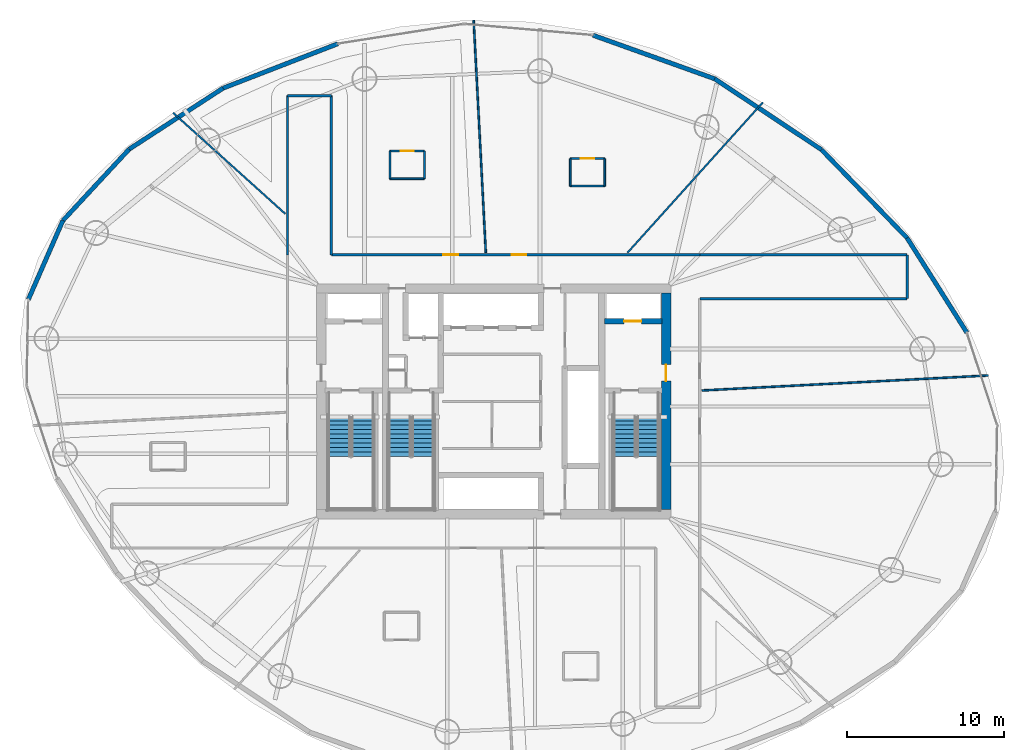
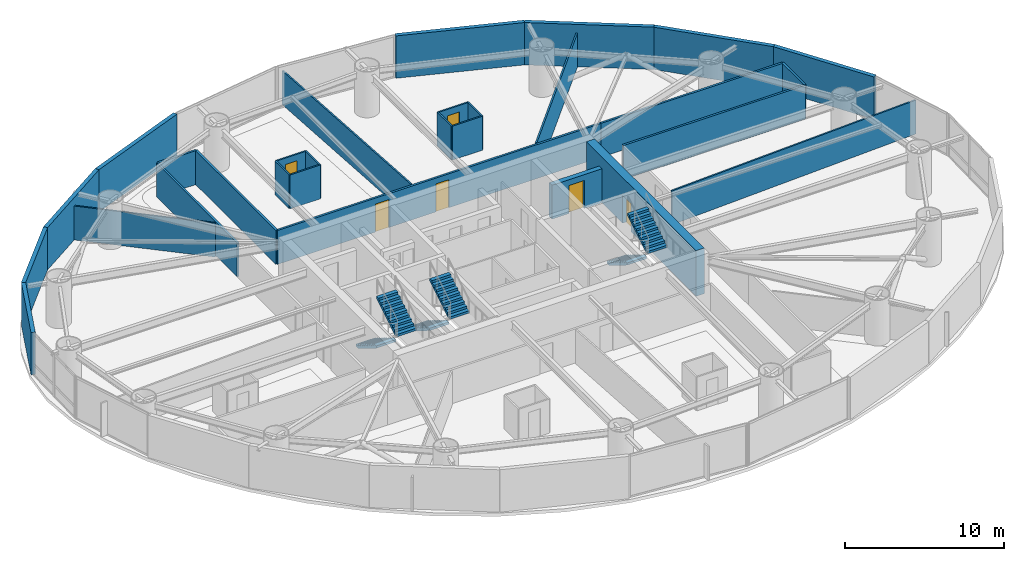
# One storey, part 20 of 24: 29 walls, 6 doors, 6 stair flights, 6 openings, 3 elements without a shape of their own.
"""IFC4 building model written with IfcOpenShell, lengths in metres."""

import ifcopenshell
import ifcopenshell.guid

model = None  # the IFC model being written
_history = None  # IfcOwnerHistory: only IFC2X3 demands one
_inside = {}  # id of a spatial element -> (the spatial element, [elements in it])
_under = {}  # id of a project, library or spatial element -> (it, [spatial elements below it])
_declared = {}  # id of a project -> (the project, [libraries it declares])
_typed = {}  # id of a type object -> (the type object, [elements of that type])
_made_of = {}  # id of a material, layer set ... -> (it, [elements and type objects made of it])


def new_model(schema):
    """Start an empty IFC model of exactly this schema.

    Asked for "IFC4X3", IfcOpenShell would pick the latest addendum, in which some entities
    have other attributes; the version numbers below select the first issue.
    IFC2X3 requires an IfcOwnerHistory on every rooted entity: one is made here for all.
    """
    global model, _history
    if schema == "IFC4X3":
        model = ifcopenshell.file(schema_version=(4, 3, 0, 0))
    else:
        model = ifcopenshell.file(schema=schema)
    _inside.clear()
    _under.clear()
    _declared.clear()
    _typed.clear()
    _made_of.clear()
    _history = None
    if model.schema == "IFC2X3":
        org = make("IfcOrganization", Name="unknown")
        user = make(
            "IfcPersonAndOrganization",
            ThePerson=make("IfcPerson", FamilyName="unknown"),
            TheOrganization=org,
        )
        app = make(
            "IfcApplication",
            ApplicationDeveloper=org,
            Version="unknown",
            ApplicationFullName="unknown",
            ApplicationIdentifier="unknown",
        )
        _history = make(
            "IfcOwnerHistory",
            OwningUser=user,
            OwningApplication=app,
            ChangeAction="ADDED",
            CreationDate=0,
        )
    return model


def make(cls, **values):
    """One entity of the class cls with the attributes given. An attribute that is None is left unset."""
    return model.create_entity(
        cls, **{name: value for name, value in values.items() if value is not None}
    )


def rooted(cls, **values):
    """An entity with a GlobalId (a new one), such as an element, a storey or a relation."""
    return make(cls, GlobalId=ifcopenshell.guid.new(), OwnerHistory=_history, **values)


def si_unit(unit_type, name, prefix=None):
    """IfcSIUnit, for example si_unit("LENGTHUNIT", "METRE", prefix="MILLI")."""
    return make("IfcSIUnit", UnitType=unit_type, Prefix=prefix, Name=name)


def assignment(units):
    """IfcUnitAssignment: the units of a project."""
    return None if units is None else make("IfcUnitAssignment", Units=units)


def point(xyz):
    """IfcCartesianPoint."""
    return None if xyz is None else make("IfcCartesianPoint", Coordinates=xyz)


def direction(xyz):
    """IfcDirection."""
    return None if xyz is None else make("IfcDirection", DirectionRatios=xyz)


def frame(location, z_axis=None, x_axis=None):
    """IfcAxis2Placement3D, a coordinate frame: its origin and axes. An axis left out is left unset."""
    return make(
        "IfcAxis2Placement3D",
        Location=point(location),
        Axis=direction(z_axis),
        RefDirection=direction(x_axis),
    )


def frame_2d(location, x_axis=None):
    """IfcAxis2Placement2D, a coordinate frame in the plane: its origin and x axis."""
    return make(
        "IfcAxis2Placement2D", Location=point(location), RefDirection=direction(x_axis)
    )


def origin():
    """The frame at (0, 0, 0) with its axes left unset."""
    return frame((0.0, 0.0, 0.0))


def place(relative_to, where):
    """IfcLocalPlacement: puts the frame where relative to a parent placement (None: the world)."""
    return make(
        "IfcLocalPlacement", PlacementRelTo=relative_to, RelativePlacement=where
    )


def context(
    kind, dimensions, precision=None, world=None, true_north=None, identifier=None
):
    """IfcGeometricRepresentationContext, for example the 3D "Model" context."""
    return make(
        "IfcGeometricRepresentationContext",
        ContextIdentifier=identifier,
        ContextType=kind,
        CoordinateSpaceDimension=dimensions,
        Precision=precision,
        WorldCoordinateSystem=world,
        TrueNorth=true_north,
    )


def subcontext(parent, identifier, kind, view, scale=None):
    """IfcGeometricRepresentationSubContext, for example "Body" below "Model"."""
    return make(
        "IfcGeometricRepresentationSubContext",
        ContextIdentifier=identifier,
        ContextType=kind,
        ParentContext=parent,
        TargetScale=scale,
        TargetView=view,
    )


def project(units=None, contexts=None):
    """IfcProject with its units and contexts."""
    return rooted(
        "IfcProject",
        Name="project",
        RepresentationContexts=contexts,
        UnitsInContext=assignment(units),
    )


def spatial(cls, under=None, at=None, **own):
    """A site, building, storey or space (cls), placed at a placement, below another one or the project."""
    s = rooted(cls, ObjectPlacement=at, **own)
    if under is not None:
        _under.setdefault(under.id(), (under, []))[1].append(s)
    return s


def polyline(points):
    """IfcPolyline through the points."""
    return make("IfcPolyline", Points=[point(p) for p in points])


def profile(cls, at=None, kind="AREA", **sizes):
    """A parametric profile (cls). Its sizes go by their IFC names, for example OverallWidth=200.0."""
    return make(cls, ProfileType=kind, Position=at, **sizes)


def rectangle(**sizes):
    """IfcRectangleProfileDef."""
    return profile("IfcRectangleProfileDef", **sizes)


def outline(outer, holes=None, kind="AREA"):
    """IfcArbitraryClosedProfileDef: a profile drawn as a closed curve; with holes, ...WithVoids."""
    if holes is None:
        return make("IfcArbitraryClosedProfileDef", ProfileType=kind, OuterCurve=outer)
    return make(
        "IfcArbitraryProfileDefWithVoids",
        ProfileType=kind,
        OuterCurve=outer,
        InnerCurves=holes,
    )


def extrude(swept, where, along, depth):
    """IfcExtrudedAreaSolid: the profile swept, set in the frame where, extruded along a direction by depth."""
    return make(
        "IfcExtrudedAreaSolid",
        SweptArea=swept,
        Position=where,
        ExtrudedDirection=direction(along),
        Depth=depth,
    )


def shape(context_of_items, identifier, shape_type, items):
    """IfcShapeRepresentation: the items that make up one representation, for example the "Body"."""
    return make(
        "IfcShapeRepresentation",
        ContextOfItems=context_of_items,
        RepresentationIdentifier=identifier,
        RepresentationType=shape_type,
        Items=items,
    )


def material(Name=None, Category=None):
    """IfcMaterial."""
    return make("IfcMaterial", Name=Name, Category=Category)


def layer(
    of_material, thickness, ventilated=None, Name=None, Category=None, Priority=None
):
    """IfcMaterialLayer: one layer of a wall or slab, of a material (None: an air gap)."""
    return make(
        "IfcMaterialLayer",
        Material=of_material,
        LayerThickness=thickness,
        IsVentilated=ventilated,
        Name=Name,
        Category=Category,
        Priority=Priority,
    )


def layer_set(layers, Name=None):
    """IfcMaterialLayerSet."""
    return make("IfcMaterialLayerSet", MaterialLayers=layers, LayerSetName=Name)


def made_of(thing, what):
    """Note that an element or type object is made of a material, layer set ...; save() writes the relation."""
    if what is not None:
        _made_of.setdefault(what.id(), (what, []))[1].append(thing)
    return thing


def type_object(cls, material=None, **own):
    """A type object (cls), such as IfcWallType, which elements share."""
    return made_of(rooted(cls, **own), material)


def element(
    cls,
    number,
    at=None,
    inside=None,
    cuts=None,
    type_object=None,
    material=None,
    context=None,
    identifier="Body",
    shape_type=None,
    held_by="IfcProductDefinitionShape",
    body=None,
    shapes=None,
    **own,
):
    """One element of the class cls, such as IfcWall. Its Tag is "e" and its number.

    at: its placement. inside: the storey or other place that contains it. cuts: it is an
    opening in that element (IfcRelVoidsElement). A single representation is given by context,
    identifier, shape_type and body (its items); several are given by shapes. held_by: the class
    of the entity that holds the representations. save() writes the other relations.
    """
    e = rooted(cls, Tag="e%d" % number, ObjectPlacement=at, **own)
    if body is not None:
        shapes = [shape(context, identifier, shape_type, body)]
    if shapes is not None:
        e.Representation = make(held_by, Representations=shapes)
    if inside is not None:
        _inside.setdefault(inside.id(), (inside, []))[1].append(e)
    if cuts is not None:
        rooted(
            "IfcRelVoidsElement", RelatingBuildingElement=cuts, RelatedOpeningElement=e
        )
    if type_object is not None:
        _typed.setdefault(type_object.id(), (type_object, []))[1].append(e)
    return made_of(e, material)


def fill(opening, filler):
    """IfcRelFillsElement: the door or window that sits in an opening."""
    return rooted(
        "IfcRelFillsElement",
        RelatingOpeningElement=opening,
        RelatedBuildingElement=filler,
    )


def aggregate(whole, parts):
    """IfcRelAggregates: a whole, such as a stair, and the parts it consists of."""
    return rooted("IfcRelAggregates", RelatingObject=whole, RelatedObjects=parts)


def save(model, path):
    """Write the relations noted so far, then the file.

    IfcRelAggregates (storeys below a building ...), IfcRelContainedInSpatialStructure (elements
    in a storey), IfcRelDefinesByType, IfcRelAssociatesMaterial and IfcRelDeclares: one each for
    every whole, place, type object, material and project.
    """
    for whole, parts in _under.values():
        aggregate(whole, parts)
    for where, things in _inside.values():
        rooted(
            "IfcRelContainedInSpatialStructure",
            RelatedElements=things,
            RelatingStructure=where,
        )
    for kind, things in _typed.values():
        rooted("IfcRelDefinesByType", RelatedObjects=things, RelatingType=kind)
    for what, things in _made_of.values():
        rooted("IfcRelAssociatesMaterial", RelatedObjects=things, RelatingMaterial=what)
    for by, libraries in _declared.values():
        rooted("IfcRelDeclares", RelatingContext=by, RelatedDefinitions=libraries)
    model.write(path)


model = new_model("IFC4")

# Units and contexts
model_context = context("Model", 3, precision=1e-05, world=origin(), true_north=direction((0.0, 1.0)))
body_context = subcontext(model_context, "Body", "Model", "MODEL_VIEW")
ifc_project = project(units=[si_unit("LENGTHUNIT", "METRE"), si_unit("AREAUNIT", "SQUARE_METRE"), si_unit("VOLUMEUNIT", "CUBIC_METRE"), si_unit("PLANEANGLEUNIT", "RADIAN"), si_unit("MASSUNIT", "GRAM", prefix="KILO")], contexts=[model_context])

# Site, building, storey
site_placement = place(None, origin())
site = spatial("IfcSite", under=ifc_project, at=site_placement, CompositionType="ELEMENT")
building_placement = place(site_placement, origin())
building = spatial("IfcBuilding", under=site, at=building_placement, Name="Bramvorn Convention Spire", CompositionType="ELEMENT")
storey_placement = place(building_placement, frame((0.0, 0.0, 83.39990234375)))
storey = spatial("IfcBuildingStorey", under=building, at=storey_placement, Name="L19", CompositionType="ELEMENT", Elevation=83.39990234375)

# Wall, opening, door
ifc_material_1 = material(Name="Concrete C60/70", Category="concrete")
ifc_layer_1 = layer(ifc_material_1, 0.60009765625)
ifc_layer_set_1 = layer_set([ifc_layer_1], Name="Concrete C60/70 - WL-CORE-600")
wall_type_1 = type_object("IfcWallType", Name="WL-CORE-600", PredefinedType="SHEAR", material=ifc_layer_set_1)
wall_1_placement = place(storey_placement, frame((49.0, 19.10009765625, 0.0), z_axis=(0.0, 0.0, 1.0), x_axis=(0.0, 1.0, 0.0)))
wall_1 = element("IfcWall", 1, at=wall_1_placement, inside=storey, type_object=wall_type_1, Name="L19 East RC core shear wall", PredefinedType="SHEAR", context=body_context, shape_type="SweptSolid", body=[
    extrude(rectangle(XDim=13.7998046875, YDim=0.60009765625, at=frame_2d((6.89990234375, 0.0))), origin(), (0.0, 0.0, 1.0), 3.5),
])
opening_1_placement = place(wall_1_placement, frame((8.199951171875, 0.0, 0.0)))
opening_1 = element("IfcOpeningElement", 2, at=opening_1_placement, cuts=wall_1, Name="Opening DL-105", PredefinedType="OPENING", context=body_context, shape_type="SweptSolid", body=[
    extrude(rectangle(XDim=1.050048828125, YDim=2.14990234375, at=frame_2d((0.52490234375, 1.074951171875))), frame((0.0, 0.31005859375, 0.0), z_axis=(0.0, -1.0, 0.0), x_axis=(1.0, 0.0, 0.0)), (0.0, 0.0, 1.0), 0.6201171875),
])
ifc_material_2 = material(Name="Smoke-Sealed Fire Lobby Timber-Core Door", Category="wood")
door_type_1 = type_object("IfcDoorType", Name="DR-LOBBY-1050", OperationType="NOTDEFINED", PredefinedType="DOOR", material=ifc_material_2)
door_1_placement = place(opening_1_placement, origin())
door_1 = element("IfcDoor", 3, at=door_1_placement, inside=storey, type_object=door_type_1, Name="L19 East Firefighting Lobby corridor door", OperationType="SINGLE_SWING_LEFT", OverallHeight=2.14990234375, OverallWidth=1.050048828125, PredefinedType="DOOR", context=body_context, shape_type="SweptSolid", body=[
    extrude(rectangle(XDim=1.050048828125, YDim=2.14990234375, at=frame_2d((0.52490234375, 1.074951171875))), frame((0.0, 0.02490234375, 0.0), z_axis=(0.0, -1.0, 0.0), x_axis=(1.0, 0.0, 0.0)), (0.0, 0.0, 1.0), 0.050048828125),
])
fill(opening_1, door_1)

ifc_material_3 = material(Name="Concrete C50/60", Category="concrete")
ifc_layer_2 = layer(ifc_material_3, 0.35009765625)
ifc_layer_set_2 = layer_set([ifc_layer_2], Name="Concrete C50/60 - WL-CORE-INT-350")
wall_type_2 = type_object("IfcWallType", Name="WL-CORE-INT-350", PredefinedType="SHEAR", material=ifc_layer_set_2)
wall_2_placement = place(storey_placement, frame((45.080078125, 31.1201171875, 0.0), z_axis=(0.0, 0.0, 1.0), x_axis=(1.0, 0.0, 0.0)))
wall_2 = element("IfcWall", 4, at=wall_2_placement, inside=storey, type_object=wall_type_2, Name="L19 FE2 shaft front wall", PredefinedType="SHEAR", context=body_context, shape_type="SweptSolid", body=[
    extrude(rectangle(XDim=3.669921875, YDim=0.35009765625, at=frame_2d((1.8349609375, 0.0))), origin(), (0.0, 0.0, 1.0), 2.60009765625),
])
opening_2_placement = place(wall_2_placement, frame((1.25, 0.0, 0.0)))
opening_2 = element("IfcOpeningElement", 5, at=opening_2_placement, cuts=wall_2, Name="Opening LD-110", PredefinedType="OPENING", context=body_context, shape_type="SweptSolid", body=[
    extrude(rectangle(XDim=1.10009765625, YDim=2.14990234375, at=frame_2d((0.550048828125, 1.074951171875))), frame((0.0, 0.18505859375, 0.0), z_axis=(0.0, -1.0, 0.0), x_axis=(1.0, 0.0, 0.0)), (0.0, 0.0, 1.0), 0.3701171875),
])
ifc_material_4 = material(Name="Firefighting & Service Lift Sliding Landing Door", Category="steel")
door_type_2 = type_object("IfcDoorType", Name="DR-LIFT-LD-1100", OperationType="NOTDEFINED", PredefinedType="DOOR", material=ifc_material_4)
door_2_placement = place(opening_2_placement, origin())
door_2 = element("IfcDoor", 6, at=door_2_placement, inside=storey, type_object=door_type_2, Name="L19 Lift FE2 Sliding Landing Door", OperationType="SLIDING_TO_LEFT", OverallHeight=2.14990234375, OverallWidth=1.10009765625, PredefinedType="DOOR", context=body_context, shape_type="SweptSolid", body=[
    extrude(rectangle(XDim=1.10009765625, YDim=2.14990234375, at=frame_2d((0.550048828125, 1.074951171875))), frame((0.0, 0.02490234375, 0.0), z_axis=(0.0, -1.0, 0.0), x_axis=(1.0, 0.0, 0.0)), (0.0, 0.0, 1.0), 0.050048828125),
])
fill(opening_2, door_2)

# Walls
ifc_material_5 = material(Name="Precast Concrete C40/50 with Bronze Terracotta Rainscreen", Category="masonry")
ifc_layer_3 = layer(ifc_material_5, 0.300048828125)
ifc_layer_set_3 = layer_set([ifc_layer_3], Name="Precast Concrete C40/50 with Bronze Terracotta Rainscreen - WL-EXT-BRONZE-300")
wall_type_3 = type_object("IfcWallType", Name="WL-EXT-BRONZE-300", PredefinedType="SOLIDWALL", material=ifc_layer_set_3)
wall_3_placement = place(storey_placement, frame((64.37060546875, 36.426025390625, 0.0), z_axis=(0.0, 0.0, 1.0), x_axis=(0.534167874198, -0.845378425425, 0.0)))
element("IfcWall", 7, at=wall_3_placement, inside=storey, type_object=wall_type_3, Name="L19 expressed bronze Gothic lancet pier wall 03", PredefinedType="SOLIDWALL", context=body_context, shape_type="SweptSolid", body=[
    extrude(rectangle(XDim=7.142822265625, YDim=0.280029296875, at=frame_2d((3.5712890625, 0.0))), origin(), (0.0, 0.0, 1.0), 3.25),
])
wall_4_placement = place(storey_placement, frame((58.908203125, 42.056640625, 0.0), z_axis=(0.0, 0.0, 1.0), x_axis=(0.696304267375, -0.717746729171, 0.0)))
element("IfcWall", 8, at=wall_4_placement, inside=storey, type_object=wall_type_3, Name="L19 expressed bronze Gothic lancet pier wall 04", PredefinedType="SOLIDWALL", context=body_context, shape_type="SweptSolid", body=[
    extrude(rectangle(XDim=7.844970703125, YDim=0.280029296875, at=frame_2d((3.92236328125, 0.0))), origin(), (0.0, 0.0, 1.0), 3.25),
])
wall_5_placement = place(storey_placement, frame((52.1005859375, 46.575439453125, 0.0), z_axis=(0.0, 0.0, 1.0), x_axis=(0.833156470186, -0.553037337064, 0.0)))
element("IfcWall", 9, at=wall_5_placement, inside=storey, type_object=wall_type_3, Name="L19 expressed bronze Gothic lancet pier wall 05", PredefinedType="SOLIDWALL", context=body_context, shape_type="SweptSolid", body=[
    extrude(rectangle(XDim=8.1708984375, YDim=0.280029296875, at=frame_2d((4.08544921875, 0.0))), origin(), (0.0, 0.0, 1.0), 3.25),
])
wall_6_placement = place(storey_placement, frame((44.341796875, 49.3544921875, 0.0), z_axis=(0.0, 0.0, 1.0), x_axis=(0.941431874185, -0.337203241782, 0.0)))
element("IfcWall", 10, at=wall_6_placement, inside=storey, type_object=wall_type_3, Name="L19 expressed bronze Gothic lancet pier wall 06", PredefinedType="SOLIDWALL", context=body_context, shape_type="SweptSolid", body=[
    extrude(rectangle(XDim=8.241455078125, YDim=0.280029296875, at=frame_2d((4.12060546875, 0.0))), origin(), (0.0, 0.0, 1.0), 3.25),
])
wall_7_placement = place(storey_placement, frame((20.7431640625, 45.978271484375, 0.0), z_axis=(0.0, 0.0, 1.0), x_axis=(0.932529903386, 0.361092757183, 0.0)))
element("IfcWall", 11, at=wall_7_placement, inside=storey, type_object=wall_type_3, Name="L19 expressed bronze Gothic lancet pier wall 09", PredefinedType="SOLIDWALL", context=body_context, shape_type="SweptSolid", body=[
    extrude(rectangle(XDim=7.844970703125, YDim=0.280029296875, at=frame_2d((3.92236328125, 0.0))), origin(), (0.0, 0.0, 1.0), 3.25),
])
wall_8_placement = place(storey_placement, frame((14.753662109375, 42.086669921875, 0.0), z_axis=(0.0, 0.0, 1.0), x_axis=(0.838544340637, 0.544833358731, 0.0)))
element("IfcWall", 12, at=wall_8_placement, inside=storey, type_object=wall_type_3, Name="L19 expressed bronze Gothic lancet pier wall 10", PredefinedType="SOLIDWALL", context=body_context, shape_type="SweptSolid", body=[
    extrude(rectangle(XDim=7.142822265625, YDim=0.280029296875, at=frame_2d((3.5712890625, 0.0))), origin(), (0.0, 0.0, 1.0), 3.25),
])
wall_9_placement = place(storey_placement, frame((10.527099609375, 37.533935546875, 0.0), z_axis=(0.0, 0.0, 1.0), x_axis=(0.680366679976, 0.732871872007, 0.0)))
element("IfcWall", 13, at=wall_9_placement, inside=storey, type_object=wall_type_3, Name="L19 expressed bronze Gothic lancet pier wall 11", PredefinedType="SOLIDWALL", context=body_context, shape_type="SweptSolid", body=[
    extrude(rectangle(XDim=6.212158203125, YDim=0.280029296875, at=frame_2d((3.10595703125, 0.0))), origin(), (0.0, 0.0, 1.0), 3.25),
])
wall_10_placement = place(storey_placement, frame((8.322998046875, 32.497802734375, 0.0), z_axis=(0.0, 0.0, 1.0), x_axis=(0.400939977134, 0.916104325247, 0.0)))
element("IfcWall", 14, at=wall_10_placement, inside=storey, type_object=wall_type_3, Name="L19 expressed bronze Gothic lancet pier wall 12", PredefinedType="SOLIDWALL", context=body_context, shape_type="SweptSolid", body=[
    extrude(rectangle(XDim=5.497314453125, YDim=0.280029296875, at=frame_2d((2.74853515625, 0.0))), origin(), (0.0, 0.0, 1.0), 3.25),
])
ifc_material_6 = material(Name="Lightweight En-Suite & Wet-Wall Partition", Category="gypsum")
ifc_layer_4 = layer(ifc_material_6, 0.110107421875)
ifc_layer_set_4 = layer_set([ifc_layer_4], Name="Lightweight En-Suite & Wet-Wall Partition - WL-PART-110")
wall_type_4 = type_object("IfcWallType", Name="WL-PART-110", PredefinedType="PARTITIONING", material=ifc_layer_set_4)
wall_11_placement = place(storey_placement, frame((51.2900390625, 26.696533203125, 0.0), z_axis=(0.0, 0.0, 1.0), x_axis=(0.998629785632, 0.052331169003, 0.0)))
element("IfcWall", 15, at=wall_11_placement, inside=storey, type_object=wall_type_4, Name="L19 Guestroom demising wall 1", PredefinedType="PARTITIONING", context=body_context, shape_type="SweptSolid", body=[
    extrude(rectangle(XDim=18.292724609375, YDim=0.110107421875, at=frame_2d((9.146484375, 0.0))), origin(), (0.0, 0.0, 1.0), 2.60009765625),
])
wall_12_placement = place(storey_placement, frame((46.544921875, 35.489990234375, 0.0), z_axis=(0.0, 0.0, 1.0), x_axis=(0.669127792896, 0.743147358721, 0.0)))
element("IfcWall", 16, at=wall_12_placement, inside=storey, type_object=wall_type_4, Name="L19 Guestroom demising wall 2", PredefinedType="PARTITIONING", context=body_context, shape_type="SweptSolid", body=[
    extrude(rectangle(XDim=12.903076171875, YDim=0.110107421875, at=frame_2d((6.45166015625, 0.0))), origin(), (0.0, 0.0, 1.0), 2.60009765625),
])
wall_13_placement = place(storey_placement, frame((37.502685546875, 35.489990234375, 0.0), z_axis=(0.0, 0.0, 1.0), x_axis=(-0.052346625091, 0.998628975567, 0.0)))
element("IfcWall", 17, at=wall_13_placement, inside=storey, type_object=wall_type_4, Name="L19 Guestroom demising wall 3", PredefinedType="PARTITIONING", context=body_context, shape_type="SweptSolid", body=[
    extrude(rectangle(XDim=14.8544921875, YDim=0.110107421875, at=frame_2d((7.42724609375, 0.0))), origin(), (0.0, 0.0, 1.0), 2.60009765625),
])
wall_14_placement = place(storey_placement, frame((24.7099609375, 37.96630859375, 0.0), z_axis=(0.0, 0.0, 1.0), x_axis=(-0.743136670625, 0.669139663129, 0.0)))
element("IfcWall", 18, at=wall_14_placement, inside=storey, type_object=wall_type_4, Name="L19 Guestroom demising wall 4", PredefinedType="PARTITIONING", context=body_context, shape_type="SweptSolid", body=[
    extrude(rectangle(XDim=9.637451171875, YDim=0.110107421875, at=frame_2d((4.81884765625, 0.0))), origin(), (0.0, 0.0, 1.0), 2.60009765625),
])
wall_15_placement = place(storey_placement, frame((42.889404296875, 39.73291015625, 0.0), z_axis=(0.0, 0.0, 1.0), x_axis=(1.0, 0.0, 0.0)))
element("IfcWall", 19, at=wall_15_placement, inside=storey, type_object=wall_type_4, Name="Hotel Suite 1902 en-suite south wall", PredefinedType="PARTITIONING", context=body_context, shape_type="SweptSolid", body=[
    extrude(rectangle(XDim=2.199951171875, YDim=0.110107421875, at=frame_2d((1.10009765625, 0.0))), origin(), (0.0, 0.0, 1.0), 2.60009765625),
])

# Wall, opening, door
wall_16_placement = place(storey_placement, frame((42.889404296875, 41.492919921875, 0.0), z_axis=(0.0, 0.0, 1.0), x_axis=(1.0, 0.0, 0.0)))
wall_16 = element("IfcWall", 20, at=wall_16_placement, inside=storey, type_object=wall_type_4, Name="Hotel Suite 1902 en-suite north wall", PredefinedType="PARTITIONING", context=body_context, shape_type="SweptSolid", body=[
    extrude(rectangle(XDim=2.199951171875, YDim=0.110107421875, at=frame_2d((1.10009765625, 0.0))), origin(), (0.0, 0.0, 1.0), 2.60009765625),
])
opening_3_placement = place(wall_16_placement, frame((0.679931640625, 0.0, 0.0)))
opening_3 = element("IfcOpeningElement", 21, at=opening_3_placement, cuts=wall_16, Name="Opening DI-085", PredefinedType="OPENING", context=body_context, shape_type="SweptSolid", body=[
    extrude(rectangle(XDim=0.85009765625, YDim=2.10009765625, at=frame_2d((0.425048828125, 1.050048828125))), frame((0.0, 0.06494140625, 0.0), z_axis=(0.0, -1.0, 0.0), x_axis=(1.0, 0.0, 0.0)), (0.0, 0.0, 1.0), 0.130126953125),
])
ifc_material_7 = material(Name="En-Suite & Restroom Privacy Door", Category="wood")
door_type_3 = type_object("IfcDoorType", Name="DR-INT-850", OperationType="NOTDEFINED", PredefinedType="DOOR", material=ifc_material_7)
door_3_placement = place(opening_3_placement, origin())
door_3 = element("IfcDoor", 22, at=door_3_placement, inside=storey, type_object=door_type_3, Name="Hotel Suite 1902 En-Suite Bathroom door", OperationType="SINGLE_SWING_LEFT", OverallHeight=2.10009765625, OverallWidth=0.85009765625, PredefinedType="DOOR", context=body_context, shape_type="SweptSolid", body=[
    extrude(rectangle(XDim=0.85009765625, YDim=2.10009765625, at=frame_2d((0.425048828125, 1.050048828125))), frame((0.0, 0.02490234375, 0.0), z_axis=(0.0, -1.0, 0.0), x_axis=(1.0, 0.0, 0.0)), (0.0, 0.0, 1.0), 0.050048828125),
])
fill(opening_3, door_3)

# Walls
for number, where, z_axis, x_axis, name in (
    (23, (42.889404296875, 39.73291015625, 0.0), (0.0, 0.0, 1.0), (0.0, 1.0, 0.0), "Hotel Suite 1902 en-suite west wall"),
    (24, (45.08935546875, 39.73291015625, 0.0), (0.0, 0.0, 1.0), (0.0, 1.0, 0.0), "Hotel Suite 1902 en-suite east wall"),
):
    element("IfcWall", number, at=place(storey_placement, frame(where, z_axis=z_axis, x_axis=x_axis)), inside=storey, type_object=wall_type_4, Name=name, PredefinedType="PARTITIONING", context=body_context, shape_type="SweptSolid", body=[
        extrude(rectangle(XDim=1.760009765625, YDim=0.110107421875, at=frame_2d((0.8798828125, 0.0))), origin(), (0.0, 0.0, 1.0), 2.60009765625),
    ])
wall_17_placement = place(storey_placement, frame((31.388916015625, 40.205078125, 0.0), z_axis=(0.0, 0.0, 1.0), x_axis=(1.0, 0.0, 0.0)))
element("IfcWall", 25, at=wall_17_placement, inside=storey, type_object=wall_type_4, Name="Hotel Suite 1903 en-suite south wall", PredefinedType="PARTITIONING", context=body_context, shape_type="SweptSolid", body=[
    extrude(rectangle(XDim=2.199951171875, YDim=0.110107421875, at=frame_2d((1.10009765625, 0.0))), origin(), (0.0, 0.0, 1.0), 2.60009765625),
])

# Wall, opening, door
wall_18_placement = place(storey_placement, frame((31.388916015625, 41.965087890625, 0.0), z_axis=(0.0, 0.0, 1.0), x_axis=(1.0, 0.0, 0.0)))
wall_18 = element("IfcWall", 26, at=wall_18_placement, inside=storey, type_object=wall_type_4, Name="Hotel Suite 1903 en-suite north wall", PredefinedType="PARTITIONING", context=body_context, shape_type="SweptSolid", body=[
    extrude(rectangle(XDim=2.199951171875, YDim=0.110107421875, at=frame_2d((1.10009765625, 0.0))), origin(), (0.0, 0.0, 1.0), 2.60009765625),
])
opening_4_placement = place(wall_18_placement, frame((0.679931640625, 0.0, 0.0)))
opening_4 = element("IfcOpeningElement", 27, at=opening_4_placement, cuts=wall_18, Name="Opening DI-085", PredefinedType="OPENING", context=body_context, shape_type="SweptSolid", body=[
    extrude(rectangle(XDim=0.85009765625, YDim=2.10009765625, at=frame_2d((0.425048828125, 1.050048828125))), frame((0.0, 0.06494140625, 0.0), z_axis=(0.0, -1.0, 0.0), x_axis=(1.0, 0.0, 0.0)), (0.0, 0.0, 1.0), 0.130126953125),
])
door_4_placement = place(opening_4_placement, origin())
door_4 = element("IfcDoor", 28, at=door_4_placement, inside=storey, type_object=door_type_3, Name="Hotel Suite 1903 En-Suite Bathroom door", OperationType="SINGLE_SWING_LEFT", OverallHeight=2.10009765625, OverallWidth=0.85009765625, PredefinedType="DOOR", context=body_context, shape_type="SweptSolid", body=[
    extrude(rectangle(XDim=0.85009765625, YDim=2.10009765625, at=frame_2d((0.425048828125, 1.050048828125))), frame((0.0, 0.02490234375, 0.0), z_axis=(0.0, -1.0, 0.0), x_axis=(1.0, 0.0, 0.0)), (0.0, 0.0, 1.0), 0.050048828125),
])
fill(opening_4, door_4)

# Walls
for number, where, z_axis, x_axis, name in (
    (29, (31.388916015625, 40.205078125, 0.0), (0.0, 0.0, 1.0), (0.0, 1.0, 0.0), "Hotel Suite 1903 en-suite west wall"),
    (30, (33.5888671875, 40.205078125, 0.0), (0.0, 0.0, 1.0), (0.0, 1.0, 0.0), "Hotel Suite 1903 en-suite east wall"),
):
    element("IfcWall", number, at=place(storey_placement, frame(where, z_axis=z_axis, x_axis=x_axis)), inside=storey, type_object=wall_type_4, Name=name, PredefinedType="PARTITIONING", context=body_context, shape_type="SweptSolid", body=[
        extrude(rectangle(XDim=1.760009765625, YDim=0.110107421875, at=frame_2d((0.8798828125, 0.0))), origin(), (0.0, 0.0, 1.0), 2.60009765625),
    ])

# Wall, openings, doors
ifc_material_8 = material(Name="Acoustic Metal-Stud Tenant/Corridor Partition", Category="gypsum")
ifc_layer_5 = layer(ifc_material_8, 0.14990234375)
ifc_layer_set_5 = layer_set([ifc_layer_5], Name="Acoustic Metal-Stud Tenant/Corridor Partition - WL-PART-150")
wall_type_5 = type_object("IfcWallType", Name="WL-PART-150", PredefinedType="PARTITIONING", material=ifc_layer_set_5)
wall_19_placement = place(storey_placement, frame((27.64990234375, 35.35009765625, 0.0), z_axis=(0.0, 0.0, 1.0), x_axis=(1.0, 0.0, 0.0)))
wall_19 = element("IfcWall", 31, at=wall_19_placement, inside=storey, type_object=wall_type_5, Name="L19 North ring corridor wall", PredefinedType="PARTITIONING", context=body_context, shape_type="SweptSolid", body=[
    extrude(rectangle(XDim=23.5, YDim=0.14990234375, at=frame_2d((11.75, 0.0))), origin(), (0.0, 0.0, 1.0), 2.60009765625),
])
opening_5_placement = place(wall_19_placement, frame((11.492919921875, 0.0, 0.0)))
opening_5 = element("IfcOpeningElement", 32, at=opening_5_placement, cuts=wall_19, Name="Opening DH-095", PredefinedType="OPENING", context=body_context, shape_type="SweptSolid", body=[
    extrude(rectangle(XDim=0.949951171875, YDim=2.14990234375, at=frame_2d((0.47509765625, 1.074951171875))), frame((0.0, 0.0849609375, 0.0), z_axis=(0.0, -1.0, 0.0), x_axis=(1.0, 0.0, 0.0)), (0.0, 0.0, 1.0), 0.169921875),
])
opening_6_placement = place(wall_19_placement, frame((7.137451171875, 0.0, 0.0)))
opening_6 = element("IfcOpeningElement", 33, at=opening_6_placement, cuts=wall_19, Name="Opening DH-095", PredefinedType="OPENING", context=body_context, shape_type="SweptSolid", body=[
    extrude(rectangle(XDim=0.949951171875, YDim=2.14990234375, at=frame_2d((0.47509765625, 1.074951171875))), frame((0.0, 0.0849609375, 0.0), z_axis=(0.0, -1.0, 0.0), x_axis=(1.0, 0.0, 0.0)), (0.0, 0.0, 1.0), 0.169921875),
])
ifc_material_9 = material(Name="Solid-Core Acoustic Guestroom Entry Door", Category="wood")
door_type_4 = type_object("IfcDoorType", Name="DR-HOTEL-950", OperationType="NOTDEFINED", PredefinedType="DOOR", material=ifc_material_9)
door_5_placement = place(opening_5_placement, origin())
door_5 = element("IfcDoor", 34, at=door_5_placement, inside=storey, type_object=door_type_4, Name="Hotel Suite 1902 entry door", OperationType="SINGLE_SWING_RIGHT", OverallHeight=2.14990234375, OverallWidth=0.949951171875, PredefinedType="DOOR", context=body_context, shape_type="SweptSolid", body=[
    extrude(rectangle(XDim=0.949951171875, YDim=2.14990234375, at=frame_2d((0.47509765625, 1.074951171875))), frame((0.0, 0.02490234375, 0.0), z_axis=(0.0, -1.0, 0.0), x_axis=(1.0, 0.0, 0.0)), (0.0, 0.0, 1.0), 0.050048828125),
])
fill(opening_5, door_5)
door_6_placement = place(opening_6_placement, origin())
door_6 = element("IfcDoor", 35, at=door_6_placement, inside=storey, type_object=door_type_4, Name="Hotel Suite 1903 entry door", OperationType="SINGLE_SWING_RIGHT", OverallHeight=2.14990234375, OverallWidth=0.949951171875, PredefinedType="DOOR", context=body_context, shape_type="SweptSolid", body=[
    extrude(rectangle(XDim=0.949951171875, YDim=2.14990234375, at=frame_2d((0.47509765625, 1.074951171875))), frame((0.0, 0.02490234375, 0.0), z_axis=(0.0, -1.0, 0.0), x_axis=(1.0, 0.0, 0.0)), (0.0, 0.0, 1.0), 0.050048828125),
])
fill(opening_6, door_6)

# Walls
for number, where, z_axis, x_axis, name in (
    (36, (51.14990234375, 35.35009765625, 0.0), (0.0, 0.0, 1.0), (1.0, 0.0, 0.0), "L19 NE pinwheel wing north wall"),
    (37, (51.14990234375, 32.550048828125, 0.0), (0.0, 0.0, 1.0), (1.0, 0.0, 0.0), "L19 NE pinwheel wing south wall"),
):
    element("IfcWall", number, at=place(storey_placement, frame(where, z_axis=z_axis, x_axis=x_axis)), inside=storey, type_object=wall_type_5, Name=name, PredefinedType="PARTITIONING", context=body_context, shape_type="SweptSolid", body=[
        extrude(rectangle(XDim=13.22119140625, YDim=0.14990234375, at=frame_2d((6.610595703125, 0.0))), origin(), (0.0, 0.0, 1.0), 2.60009765625),
    ])
wall_20_placement = place(storey_placement, frame((64.37109375, 32.550048828125, 0.0), z_axis=(0.0, 0.0, 1.0), x_axis=(0.0, 1.0, 0.0)))
element("IfcWall", 38, at=wall_20_placement, inside=storey, type_object=wall_type_5, Name="L19 NE pinwheel end wall", PredefinedType="PARTITIONING", context=body_context, shape_type="SweptSolid", body=[
    extrude(rectangle(XDim=2.800048828125, YDim=0.14990234375, at=frame_2d((1.39990234375, 0.0))), origin(), (0.0, 0.0, 1.0), 2.60009765625),
])
for number, where, z_axis, x_axis, name in (
    (39, (24.85009765625, 35.35009765625, 0.0), (0.0, 0.0, 1.0), (0.0, 1.0, 0.0), "L19 NW pinwheel wing west wall"),
    (40, (27.64990234375, 35.35009765625, 0.0), (0.0, 0.0, 1.0), (0.0, 1.0, 0.0), "L19 NW pinwheel wing east wall"),
):
    element("IfcWall", number, at=place(storey_placement, frame(where, z_axis=z_axis, x_axis=x_axis)), inside=storey, type_object=wall_type_5, Name=name, PredefinedType="PARTITIONING", context=body_context, shape_type="SweptSolid", body=[
        extrude(rectangle(XDim=10.14990234375, YDim=0.14990234375, at=frame_2d((5.074951171875, 0.0))), origin(), (0.0, 0.0, 1.0), 2.60009765625),
    ])
wall_21_placement = place(storey_placement, frame((24.85009765625, 45.5, 0.0), z_axis=(0.0, 0.0, 1.0), x_axis=(1.0, 0.0, 0.0)))
element("IfcWall", 41, at=wall_21_placement, inside=storey, type_object=wall_type_5, Name="L19 NW pinwheel end wall", PredefinedType="PARTITIONING", context=body_context, shape_type="SweptSolid", body=[
    extrude(rectangle(XDim=2.7998046875, YDim=0.14990234375, at=frame_2d((1.39990234375, 0.0))), origin(), (0.0, 0.0, 1.0), 2.60009765625),
])

# Stair, stair flights
ifc_material_10 = material(Name="Concrete C40/50 Precast Stair", Category="concrete")
stair_type = type_object("IfcStairType", Name="ST-TOWER-1550", PredefinedType="HALF_TURN_STAIR", material=ifc_material_10)
stair_1_placement = place(storey_placement, origin())
stair_1 = element("IfcStair", 42, at=stair_1_placement, inside=storey, type_object=stair_type, Name="L19 Protected Exit Stair ST1", PredefinedType="HALF_TURN_STAIR")
ifc_material_11 = material(Name="Concrete C40/50 Precast Stair Flight", Category="concrete")
stair_flight_type = type_object("IfcStairFlightType", Name="STF-TOWER-1550", PredefinedType="STRAIGHT", material=ifc_material_11)
stair_flight_1_placement = place(storey_placement, frame((28.155029296875, 25.050048828125, 0.0), z_axis=(0.0, 0.0, 1.0), x_axis=(0.0, -1.0, 0.0)))
stair_flight_1 = element("IfcStairFlight", 43, at=stair_flight_1_placement, type_object=stair_flight_type, Name="ST1 flight 1", NumberOfRisers=10, NumberOfTreads=9, PredefinedType="STRAIGHT", RiserHeight=0.175, TreadLength=0.285, context=body_context, shape_type="SweptSolid", body=[
    extrude(outline(polyline([(0.0, 0.0), (0.0, 0.175048828125), (0.284912109375, 0.175048828125), (0.284912109375, 0.35009765625), (0.570068359375, 0.35009765625), (0.570068359375, 0.52490234375), (0.85498046875, 0.52490234375), (0.85498046875, 0.699951171875), (1.139892578125, 0.699951171875), (1.139892578125, 0.875), (1.425048828125, 0.875), (1.425048828125, 1.050048828125), (1.7099609375, 1.050048828125), (1.7099609375, 1.22509765625), (1.9951171875, 1.22509765625), (1.9951171875, 1.39990234375), (2.280029296875, 1.39990234375), (2.280029296875, 1.574951171875), (2.56494140625, 1.574951171875), (2.56494140625, 1.75), (2.56494140625, 1.399169921875), (0.286376953125, 0.0), (0.0, 0.0)])), frame((0.0, 0.705078125, 0.0), z_axis=(0.0, -1.0, 0.0), x_axis=(1.0, 0.0, 0.0)), (0.0, 0.0, 1.0), 1.409912109375),
])
stair_flight_2_placement = place(storey_placement, frame((29.64501953125, 22.485107421875, 1.75), z_axis=(0.0, 0.0, 1.0), x_axis=(0.0, 1.0, 0.0)))
stair_flight_2 = element("IfcStairFlight", 44, at=stair_flight_2_placement, type_object=stair_flight_type, Name="ST1 flight 2", NumberOfRisers=10, NumberOfTreads=9, PredefinedType="STRAIGHT", RiserHeight=0.175, TreadLength=0.285, context=body_context, shape_type="SweptSolid", body=[
    extrude(outline(polyline([(0.0, 0.0), (0.0, 0.175048828125), (0.284912109375, 0.175048828125), (0.284912109375, 0.35009765625), (0.570068359375, 0.35009765625), (0.570068359375, 0.52490234375), (0.85498046875, 0.52490234375), (0.85498046875, 0.699951171875), (1.139892578125, 0.699951171875), (1.139892578125, 0.875), (1.425048828125, 0.875), (1.425048828125, 1.050048828125), (1.7099609375, 1.050048828125), (1.7099609375, 1.22509765625), (1.9951171875, 1.22509765625), (1.9951171875, 1.39990234375), (2.280029296875, 1.39990234375), (2.280029296875, 1.574951171875), (2.56494140625, 1.574951171875), (2.56494140625, 1.75), (2.56494140625, 1.399169921875), (0.286376953125, 0.0), (0.0, 0.0)])), frame((0.0, 0.705078125, 0.0), z_axis=(0.0, -1.0, 0.0), x_axis=(1.0, 0.0, 0.0)), (0.0, 0.0, 1.0), 1.409912109375),
])
aggregate(stair_1, [stair_flight_1, stair_flight_2])

stair_2_placement = place(storey_placement, origin())
stair_2 = element("IfcStair", 45, at=stair_2_placement, inside=storey, type_object=stair_type, Name="L19 Protected Exit Stair ST2", PredefinedType="HALF_TURN_STAIR")
stair_flight_3_placement = place(storey_placement, frame((46.35498046875, 25.050048828125, 0.0), z_axis=(0.0, 0.0, 1.0), x_axis=(0.0, -1.0, 0.0)))
stair_flight_3 = element("IfcStairFlight", 46, at=stair_flight_3_placement, type_object=stair_flight_type, Name="ST2 flight 1", NumberOfRisers=10, NumberOfTreads=9, PredefinedType="STRAIGHT", RiserHeight=0.175, TreadLength=0.285, context=body_context, shape_type="SweptSolid", body=[
    extrude(outline(polyline([(0.0, 0.0), (0.0, 0.175048828125), (0.284912109375, 0.175048828125), (0.284912109375, 0.35009765625), (0.570068359375, 0.35009765625), (0.570068359375, 0.52490234375), (0.85498046875, 0.52490234375), (0.85498046875, 0.699951171875), (1.139892578125, 0.699951171875), (1.139892578125, 0.875), (1.425048828125, 0.875), (1.425048828125, 1.050048828125), (1.7099609375, 1.050048828125), (1.7099609375, 1.22509765625), (1.9951171875, 1.22509765625), (1.9951171875, 1.39990234375), (2.280029296875, 1.39990234375), (2.280029296875, 1.574951171875), (2.56494140625, 1.574951171875), (2.56494140625, 1.75), (2.56494140625, 1.399169921875), (0.286376953125, 0.0), (0.0, 0.0)])), frame((0.0, 0.705078125, 0.0), z_axis=(0.0, -1.0, 0.0), x_axis=(1.0, 0.0, 0.0)), (0.0, 0.0, 1.0), 1.409912109375),
])
stair_flight_4_placement = place(storey_placement, frame((47.844970703125, 22.485107421875, 1.75), z_axis=(0.0, 0.0, 1.0), x_axis=(0.0, 1.0, 0.0)))
stair_flight_4 = element("IfcStairFlight", 47, at=stair_flight_4_placement, type_object=stair_flight_type, Name="ST2 flight 2", NumberOfRisers=10, NumberOfTreads=9, PredefinedType="STRAIGHT", RiserHeight=0.175, TreadLength=0.285, context=body_context, shape_type="SweptSolid", body=[
    extrude(outline(polyline([(0.0, 0.0), (0.0, 0.175048828125), (0.284912109375, 0.175048828125), (0.284912109375, 0.35009765625), (0.570068359375, 0.35009765625), (0.570068359375, 0.52490234375), (0.85498046875, 0.52490234375), (0.85498046875, 0.699951171875), (1.139892578125, 0.699951171875), (1.139892578125, 0.875), (1.425048828125, 0.875), (1.425048828125, 1.050048828125), (1.7099609375, 1.050048828125), (1.7099609375, 1.22509765625), (1.9951171875, 1.22509765625), (1.9951171875, 1.39990234375), (2.280029296875, 1.39990234375), (2.280029296875, 1.574951171875), (2.56494140625, 1.574951171875), (2.56494140625, 1.75), (2.56494140625, 1.399169921875), (0.286376953125, 0.0), (0.0, 0.0)])), frame((0.0, 0.705078125, 0.0), z_axis=(0.0, -1.0, 0.0), x_axis=(1.0, 0.0, 0.0)), (0.0, 0.0, 1.0), 1.409912109375),
])
aggregate(stair_2, [stair_flight_3, stair_flight_4])

stair_3_placement = place(storey_placement, origin())
stair_3 = element("IfcStair", 48, at=stair_3_placement, inside=storey, type_object=stair_type, Name="L19 Protected Exit Stair ST3", PredefinedType="HALF_TURN_STAIR")
stair_flight_5_placement = place(storey_placement, frame((32.0048828125, 25.050048828125, 0.0), z_axis=(0.0, 0.0, 1.0), x_axis=(0.0, -1.0, 0.0)))
stair_flight_5 = element("IfcStairFlight", 49, at=stair_flight_5_placement, type_object=stair_flight_type, Name="ST3 flight 1", NumberOfRisers=10, NumberOfTreads=9, PredefinedType="STRAIGHT", RiserHeight=0.175, TreadLength=0.285, context=body_context, shape_type="SweptSolid", body=[
    extrude(outline(polyline([(0.0, 0.0), (0.0, 0.175048828125), (0.284912109375, 0.175048828125), (0.284912109375, 0.35009765625), (0.570068359375, 0.35009765625), (0.570068359375, 0.52490234375), (0.85498046875, 0.52490234375), (0.85498046875, 0.699951171875), (1.139892578125, 0.699951171875), (1.139892578125, 0.875), (1.425048828125, 0.875), (1.425048828125, 1.050048828125), (1.7099609375, 1.050048828125), (1.7099609375, 1.22509765625), (1.9951171875, 1.22509765625), (1.9951171875, 1.39990234375), (2.280029296875, 1.39990234375), (2.280029296875, 1.574951171875), (2.56494140625, 1.574951171875), (2.56494140625, 1.75), (2.56494140625, 1.399169921875), (0.286376953125, 0.0), (0.0, 0.0)])), frame((0.0, 0.705078125, 0.0), z_axis=(0.0, -1.0, 0.0), x_axis=(1.0, 0.0, 0.0)), (0.0, 0.0, 1.0), 1.409912109375),
])
stair_flight_6_placement = place(storey_placement, frame((33.4951171875, 22.485107421875, 1.75), z_axis=(0.0, 0.0, 1.0), x_axis=(0.0, 1.0, 0.0)))
stair_flight_6 = element("IfcStairFlight", 50, at=stair_flight_6_placement, type_object=stair_flight_type, Name="ST3 flight 2", NumberOfRisers=10, NumberOfTreads=9, PredefinedType="STRAIGHT", RiserHeight=0.175, TreadLength=0.285, context=body_context, shape_type="SweptSolid", body=[
    extrude(outline(polyline([(0.0, 0.0), (0.0, 0.175048828125), (0.284912109375, 0.175048828125), (0.284912109375, 0.35009765625), (0.570068359375, 0.35009765625), (0.570068359375, 0.52490234375), (0.85498046875, 0.52490234375), (0.85498046875, 0.699951171875), (1.139892578125, 0.699951171875), (1.139892578125, 0.875), (1.425048828125, 0.875), (1.425048828125, 1.050048828125), (1.7099609375, 1.050048828125), (1.7099609375, 1.22509765625), (1.9951171875, 1.22509765625), (1.9951171875, 1.39990234375), (2.280029296875, 1.39990234375), (2.280029296875, 1.574951171875), (2.56494140625, 1.574951171875), (2.56494140625, 1.75), (2.56494140625, 1.399169921875), (0.286376953125, 0.0), (0.0, 0.0)])), frame((0.0, 0.705078125, 0.0), z_axis=(0.0, -1.0, 0.0), x_axis=(1.0, 0.0, 0.0)), (0.0, 0.0, 1.0), 1.409912109375),
])
aggregate(stair_3, [stair_flight_5, stair_flight_6])

save(model, "model.ifc")
